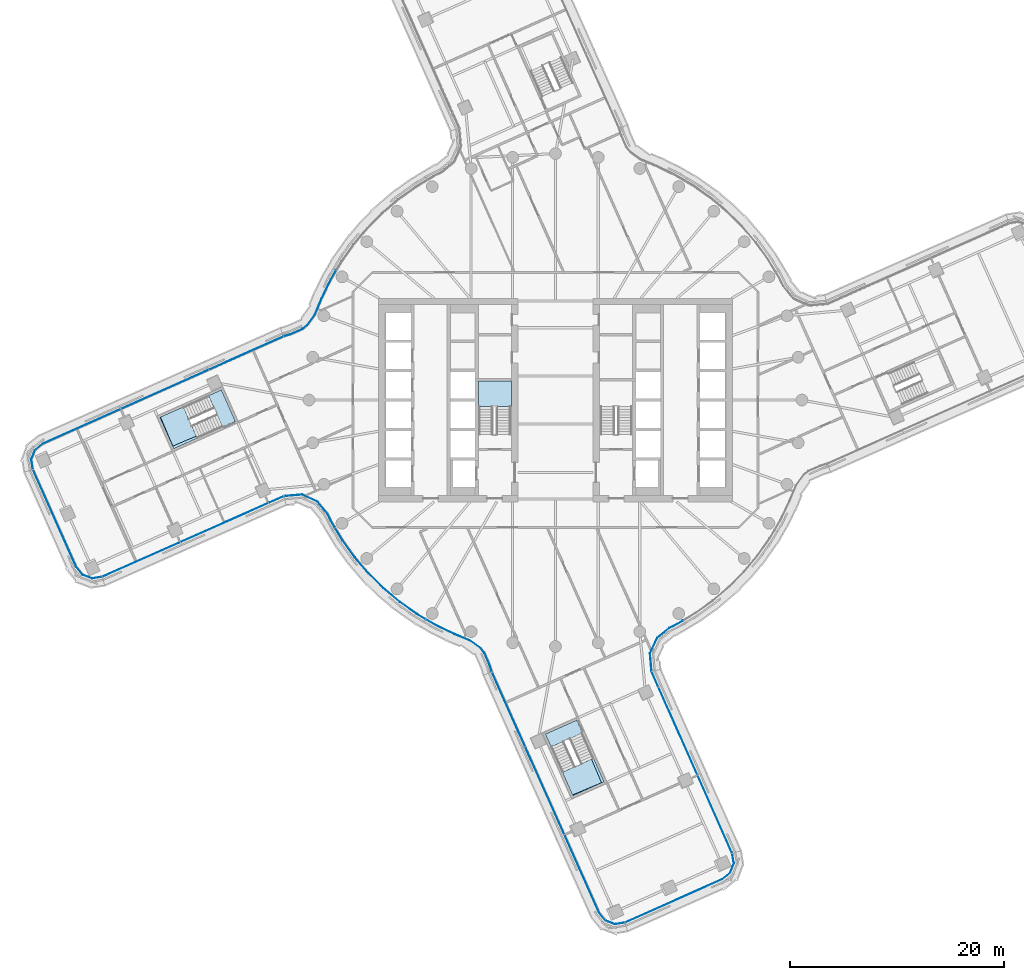
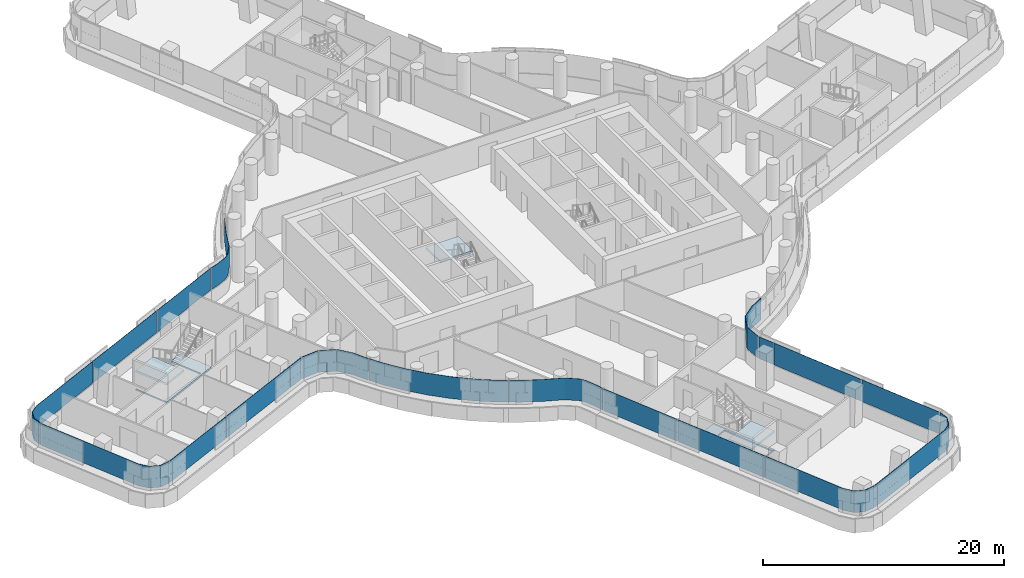
# One storey, part 18 of 35: 19 plates, 5 slabs, 12 elements without a shape of their own.
"""IFC4 building model written with IfcOpenShell, lengths in metres."""

from ifc_helpers import new_model, si_unit, direction, frame, origin, place, context, subcontext, project, spatial, polyline, outline, extrude, material, layer, layer_set, type_object, element, aggregate, save


model = new_model("IFC4")

# Units and contexts
model_context = context("Model", 3, precision=1e-05, world=origin(), true_north=direction((0.0, 1.0)))
body_context = subcontext(model_context, "Body", "Model", "MODEL_VIEW")
ifc_project = project(units=[si_unit("LENGTHUNIT", "METRE"), si_unit("AREAUNIT", "SQUARE_METRE"), si_unit("VOLUMEUNIT", "CUBIC_METRE"), si_unit("PLANEANGLEUNIT", "RADIAN"), si_unit("MASSUNIT", "GRAM", prefix="KILO")], contexts=[model_context])

# Site, building, storey
site_placement = place(None, origin())
site = spatial("IfcSite", under=ifc_project, at=site_placement, CompositionType="ELEMENT")
building_placement = place(site_placement, origin())
building = spatial("IfcBuilding", under=site, at=building_placement, Name="Tamarind Cross Interchange Tower", CompositionType="ELEMENT")
storey_placement = place(building_placement, frame((0.0, 0.0, 121.0)))
storey = spatial("IfcBuildingStorey", under=building, at=storey_placement, Name="L29", CompositionType="ELEMENT", Elevation=121.0)

# Slabs
ifc_material_1 = material(Name="Concrete C35", Category="concrete")
ifc_layer_1 = layer(ifc_material_1, 0.139892578125)
ifc_layer_set_1 = layer_set([ifc_layer_1], Name="Concrete C35")
slab_type_1 = type_object("IfcSlabType", Name="Composite slab 140 Concrete C35", PredefinedType="FLOOR", material=ifc_layer_set_1)
slab_1_placement = place(storey_placement, frame((0.0, 0.0, -0.139892578125)))
element("IfcSlab", 1, at=slab_1_placement, inside=storey, type_object=slab_type_1, Name="Floor slab L29", PredefinedType="FLOOR", context=body_context, shape_type="SweptSolid", body=[
    extrude(outline(polyline([(-29.876708984375, -1.97900390625), (-31.179931640625, 0.943603515625), (-32.302978515625, 0.44287109375), (-32.378173828125, 0.4091796875), (-31.144287109375, -2.358154296875), (-35.711181640625, -4.29541015625), (-36.859375, -1.5888671875), (-36.933837890625, -1.621826171875), (-35.630615234375, -4.544677734375), (-29.876708984375, -1.97900390625)])), origin(), (0.0, 0.0, 1.0), 0.139892578125),
])
slab_2_placement = place(storey_placement, frame((0.0, 0.0, -0.139892578125)))
element("IfcSlab", 2, at=slab_2_placement, inside=storey, type_object=slab_type_1, Name="Floor slab L29", PredefinedType="FLOOR", context=body_context, shape_type="SweptSolid", body=[
    extrude(outline(polyline([(1.97900390625, -29.876708984375), (-0.943603515625, -31.179931640625), (-0.44287109375, -32.302978515625), (-0.4091796875, -32.378173828125), (2.358154296875, -31.144287109375), (4.29541015625, -35.711181640625), (1.5888671875, -36.859375), (1.621826171875, -36.933837890625), (4.544677734375, -35.630615234375), (1.97900390625, -29.876708984375)])), origin(), (0.0, 0.0, 1.0), 0.139892578125),
])

# Stair, slab
ifc_material_2 = material(Name="Exit stair")
stair_type = type_object("IfcStairType", Name="Exit stair", PredefinedType="HALF_TURN_STAIR", material=ifc_material_2)
stair_1_placement = place(storey_placement, origin())
stair_1 = element("IfcStair", 3, at=stair_1_placement, inside=storey, type_object=stair_type, Name="L29 exit stair ST1", PredefinedType="HALF_TURN_STAIR")
ifc_material_3 = material(Name="Concrete C40", Category="concrete")
ifc_layer_2 = layer(ifc_material_3, 0.199951171875)
ifc_layer_set_2 = layer_set([ifc_layer_2], Name="Concrete C40")
slab_type_2 = type_object("IfcSlabType", Name="Stair landing", PredefinedType="LANDING", material=ifc_layer_set_2)
slab_3_placement = place(storey_placement, frame((0.0, 0.0, 1.675048828125)))
slab_3 = element("IfcSlab", 4, at=slab_3_placement, type_object=slab_type_2, Name="ST1 landing 1", PredefinedType="LANDING", context=body_context, shape_type="SweptSolid", body=[
    extrude(outline(polyline([(-4.10009765625, -0.60009765625), (-4.10009765625, 1.800048828125), (-7.199951171875, 1.800048828125), (-7.199951171875, -0.60009765625), (-4.10009765625, -0.60009765625)])), origin(), (0.0, 0.0, 1.0), 0.199951171875),
])
aggregate(stair_1, [slab_3])

stair_2_placement = place(storey_placement, origin())
stair_2 = element("IfcStair", 5, at=stair_2_placement, inside=storey, type_object=stair_type, Name="L29 exit stair ST5", PredefinedType="HALF_TURN_STAIR")
slab_4_placement = place(storey_placement, frame((0.0, 0.0, 1.675048828125)))
slab_4 = element("IfcSlab", 6, at=slab_4_placement, type_object=slab_type_2, Name="ST5 landing 1", PredefinedType="LANDING", context=body_context, shape_type="SweptSolid", body=[
    extrude(outline(polyline([(-34.73095703125, -0.6396484375), (-36.933837890625, -1.6220703125), (-35.630615234375, -4.544677734375), (-33.427734375, -3.5625), (-34.73095703125, -0.6396484375)])), origin(), (0.0, 0.0, 1.0), 0.199951171875),
])
aggregate(stair_2, [slab_4])

stair_3_placement = place(storey_placement, origin())
stair_3 = element("IfcStair", 7, at=stair_3_placement, inside=storey, type_object=stair_type, Name="L29 exit stair ST6", PredefinedType="HALF_TURN_STAIR")
slab_5_placement = place(storey_placement, frame((0.0, 0.0, 1.675048828125)))
slab_5 = element("IfcSlab", 8, at=slab_5_placement, type_object=slab_type_2, Name="ST6 landing 1", PredefinedType="LANDING", context=body_context, shape_type="SweptSolid", body=[
    extrude(outline(polyline([(0.6396484375, -34.73095703125), (1.6220703125, -36.933837890625), (4.544677734375, -35.630615234375), (3.5625, -33.427734375), (0.6396484375, -34.73095703125)])), origin(), (0.0, 0.0, 1.0), 0.199951171875),
])
aggregate(stair_3, [slab_5])

# Curtain wall, plate
ifc_material_4 = material(Name="Aluminium 6063-T6", Category="aluminium")
ifc_layer_3 = layer(ifc_material_4, 0.159912109375)
ifc_layer_set_3 = layer_set([ifc_layer_3], Name="Aluminium 6063-T6")
curtain_wall_type = type_object("IfcCurtainWallType", Name="Office curtain wall, 9.0 m bays", PredefinedType="NOTDEFINED", material=ifc_layer_set_3)
curtain_wall_1_placement = place(storey_placement, origin())
curtain_wall_1 = element("IfcCurtainWall", 9, at=curtain_wall_1_placement, inside=storey, type_object=curtain_wall_type, Name="CWS-L29-00", PredefinedType="NOTDEFINED")
ifc_material_5 = material(Name="Laminated low-e glass 8+1.52+8", Category="glass")
ifc_layer_4 = layer(ifc_material_5, 0.028076171875)
ifc_layer_set_4 = layer_set([ifc_layer_4], Name="Laminated low-e glass 8+1.52+8")
plate_type = type_object("IfcPlateType", Name="Vision panel CW1", PredefinedType="CURTAIN_PANEL", material=ifc_layer_set_4)
plate_1_placement = place(storey_placement, frame((0.0, 0.0, 1.39990234375)))
plate_1 = element("IfcPlate", 10, at=plate_1_placement, type_object=plate_type, Name="CWP-L29-00-00", PredefinedType="CURTAIN_PANEL", context=body_context, shape_type="SweptSolid", body=[
    extrude(outline(polyline([(-48.743896484375, -6.51123046875), (-44.7060546875, -15.5673828125), (-44.10791015625, -16.30517578125), (-43.248291015625, -16.634765625), (-42.337890625, -16.489990234375), (-42.33349609375, -16.517578125), (-43.251220703125, -16.66357421875), (-44.125, -16.32861328125), (-44.730224609375, -15.582275390625), (-48.76953125, -6.522705078125), (-48.743896484375, -6.51123046875)])), origin(), (0.0, 0.0, 1.0), 2.210205078125),
])
aggregate(curtain_wall_1, [plate_1])

# Curtain wall, plates
curtain_wall_2_placement = place(storey_placement, origin())
curtain_wall_2 = element("IfcCurtainWall", 11, at=curtain_wall_2_placement, inside=storey, type_object=curtain_wall_type, Name="CWS-L29-01", PredefinedType="NOTDEFINED")
plate_2_placement = place(storey_placement, frame((0.0, 0.0, 1.39990234375)))
plate_2 = element("IfcPlate", 12, at=plate_2_placement, type_object=plate_type, Name="CWP-L29-01-00", PredefinedType="CURTAIN_PANEL", context=body_context, shape_type="SweptSolid", body=[
    extrude(outline(polyline([(-42.284423828125, -16.47412109375), (-35.03173828125, -13.255615234375), (-35.0205078125, -13.28125), (-42.27294921875, -16.499755859375), (-42.284423828125, -16.47412109375)])), origin(), (0.0, 0.0, 1.0), 2.210205078125),
])
plate_3_placement = place(storey_placement, frame((0.0, 0.0, 1.39990234375)))
plate_3 = element("IfcPlate", 13, at=plate_3_placement, type_object=plate_type, Name="CWP-L29-01-01", PredefinedType="CURTAIN_PANEL", context=body_context, shape_type="SweptSolid", body=[
    extrude(outline(polyline([(-34.97705078125, -13.2314453125), (-26.80224609375, -9.603515625), (-26.790771484375, -9.629150390625), (-34.965576171875, -13.2568359375), (-34.97705078125, -13.2314453125)])), origin(), (0.0, 0.0, 1.0), 2.210205078125),
])
plate_4_placement = place(storey_placement, frame((0.0, 0.0, 1.39990234375)))
plate_4 = element("IfcPlate", 14, at=plate_4_placement, type_object=plate_type, Name="CWP-L29-01-02", PredefinedType="CURTAIN_PANEL", context=body_context, shape_type="SweptSolid", body=[
    extrude(outline(polyline([(-26.747314453125, -9.579345703125), (-25.3779296875, -8.971435546875), (-25.366455078125, -8.9970703125), (-26.736083984375, -9.60498046875), (-26.747314453125, -9.579345703125)])), origin(), (0.0, 0.0, 1.0), 2.210205078125),
])
aggregate(curtain_wall_2, [plate_2, plate_3, plate_4])

curtain_wall_3_placement = place(storey_placement, origin())
curtain_wall_3 = element("IfcCurtainWall", 15, at=curtain_wall_3_placement, inside=storey, type_object=curtain_wall_type, Name="CWS-L29-02", PredefinedType="NOTDEFINED")
plate_5_placement = place(storey_placement, frame((0.0, 0.0, 1.39990234375)))
plate_5 = element("IfcPlate", 16, at=plate_5_placement, type_object=plate_type, Name="CWP-L29-02-00", PredefinedType="CURTAIN_PANEL", context=body_context, shape_type="SweptSolid", body=[
    extrude(outline(polyline([(-25.31591796875, -8.95556640625), (-23.64208984375, -8.81201171875), (-22.1923828125, -9.48193359375), (-21.266845703125, -10.609619140625), (-20.866943359375, -11.408203125), (-20.574462890625, -11.894287109375), (-20.598388671875, -11.90869140625), (-20.891357421875, -11.421875), (-21.29052734375, -10.625), (-22.2099609375, -9.504638671875), (-23.64697265625, -8.840576171875), (-25.313720703125, -8.983642578125), (-25.31591796875, -8.95556640625)])), origin(), (0.0, 0.0, 1.0), 2.210205078125),
])
plate_6_placement = place(storey_placement, frame((0.0, 0.0, 1.39990234375)))
plate_6 = element("IfcPlate", 17, at=plate_6_placement, type_object=plate_type, Name="CWP-L29-02-01", PredefinedType="CURTAIN_PANEL", context=body_context, shape_type="SweptSolid", body=[
    extrude(outline(polyline([(-20.54345703125, -11.94580078125), (-19.85302734375, -13.093017578125), (-18.7041015625, -14.687744140625), (-17.42724609375, -16.18212890625), (-16.031494140625, -17.56591796875), (-14.526123046875, -18.829833984375), (-12.921630859375, -19.965087890625), (-12.135498046875, -20.428955078125), (-12.14990234375, -20.453125), (-12.936767578125, -19.988525390625), (-14.543212890625, -18.85205078125), (-16.05029296875, -17.586669921875), (-17.44775390625, -16.201171875), (-18.72607421875, -14.705078125), (-19.87646484375, -13.1083984375), (-20.5673828125, -11.960205078125), (-20.54345703125, -11.94580078125)])), origin(), (0.0, 0.0, 1.0), 2.210205078125),
])
plate_7_placement = place(storey_placement, frame((0.0, 0.0, 1.39990234375)))
plate_7 = element("IfcPlate", 18, at=plate_7_placement, type_object=plate_type, Name="CWP-L29-02-02", PredefinedType="CURTAIN_PANEL", context=body_context, shape_type="SweptSolid", body=[
    extrude(outline(polyline([(-12.083984375, -20.45947265625), (-11.228759765625, -20.9638671875), (-9.456787109375, -21.82080078125), (-7.9462890625, -22.446533203125), (-6.9736328125, -23.1591796875), (-6.62109375, -23.596923828125), (-6.136962890625, -24.68701171875), (-5.93310546875, -25.3486328125), (-5.9599609375, -25.356689453125), (-6.163330078125, -24.69677734375), (-6.645263671875, -23.611572265625), (-6.9931640625, -23.1796875), (-7.960205078125, -22.47119140625), (-9.46826171875, -21.846435546875), (-11.241943359375, -20.98876953125), (-12.09814453125, -20.4833984375), (-12.083984375, -20.45947265625)])), origin(), (0.0, 0.0, 1.0), 2.210205078125),
])
aggregate(curtain_wall_3, [plate_5, plate_6, plate_7])

curtain_wall_4_placement = place(storey_placement, origin())
curtain_wall_4 = element("IfcCurtainWall", 19, at=curtain_wall_4_placement, inside=storey, type_object=curtain_wall_type, Name="CWS-L29-03", PredefinedType="NOTDEFINED")
plate_8_placement = place(storey_placement, frame((0.0, 0.0, 1.39990234375)))
plate_8 = element("IfcPlate", 20, at=plate_8_placement, type_object=plate_type, Name="CWP-L29-03-00", PredefinedType="CURTAIN_PANEL", context=body_context, shape_type="SweptSolid", body=[
    extrude(outline(polyline([(-5.91259765625, -25.403076171875), (-2.830078125, -32.316650390625), (-2.855712890625, -32.328125), (-5.938232421875, -25.414306640625), (-5.91259765625, -25.403076171875)])), origin(), (0.0, 0.0, 1.0), 2.210205078125),
])
plate_9_placement = place(storey_placement, frame((0.0, 0.0, 1.39990234375)))
plate_9 = element("IfcPlate", 21, at=plate_9_placement, type_object=plate_type, Name="CWP-L29-03-01", PredefinedType="CURTAIN_PANEL", context=body_context, shape_type="SweptSolid", body=[
    extrude(outline(polyline([(-2.8056640625, -32.37158203125), (0.8291015625, -40.52392578125), (0.8037109375, -40.535400390625), (-2.831298828125, -32.383056640625), (-2.8056640625, -32.37158203125)])), origin(), (0.0, 0.0, 1.0), 2.210205078125),
])
plate_10_placement = place(storey_placement, frame((0.0, 0.0, 1.39990234375)))
plate_10 = element("IfcPlate", 22, at=plate_10_placement, type_object=plate_type, Name="CWP-L29-03-02", PredefinedType="CURTAIN_PANEL", context=body_context, shape_type="SweptSolid", body=[
    extrude(outline(polyline([(0.853515625, -40.57861328125), (4.08984375, -47.837158203125), (4.68798828125, -48.574951171875), (5.547607421875, -48.904296875), (6.457763671875, -48.759765625), (6.462158203125, -48.787353515625), (5.544677734375, -48.93310546875), (4.6708984375, -48.598388671875), (4.06591796875, -47.851806640625), (0.828125, -40.590087890625), (0.853515625, -40.57861328125)])), origin(), (0.0, 0.0, 1.0), 2.210205078125),
])
aggregate(curtain_wall_4, [plate_8, plate_9, plate_10])

# Curtain wall, plate
curtain_wall_5_placement = place(storey_placement, origin())
curtain_wall_5 = element("IfcCurtainWall", 23, at=curtain_wall_5_placement, inside=storey, type_object=curtain_wall_type, Name="CWS-L29-04", PredefinedType="NOTDEFINED")
plate_11_placement = place(storey_placement, frame((0.0, 0.0, 1.39990234375)))
plate_11 = element("IfcPlate", 24, at=plate_11_placement, type_object=plate_type, Name="CWP-L29-04-00", PredefinedType="CURTAIN_PANEL", context=body_context, shape_type="SweptSolid", body=[
    extrude(outline(polyline([(6.51123046875, -48.743896484375), (15.5673828125, -44.7060546875), (16.30517578125, -44.10791015625), (16.634765625, -43.248291015625), (16.489990234375, -42.337890625), (16.517578125, -42.33349609375), (16.66357421875, -43.251220703125), (16.32861328125, -44.125), (15.582275390625, -44.730224609375), (6.522705078125, -48.76953125), (6.51123046875, -48.743896484375)])), origin(), (0.0, 0.0, 1.0), 2.210205078125),
])
aggregate(curtain_wall_5, [plate_11])

# Curtain wall, plates
curtain_wall_6_placement = place(storey_placement, origin())
curtain_wall_6 = element("IfcCurtainWall", 25, at=curtain_wall_6_placement, inside=storey, type_object=curtain_wall_type, Name="CWS-L29-05", PredefinedType="NOTDEFINED")
plate_12_placement = place(storey_placement, frame((0.0, 0.0, 1.39990234375)))
plate_12 = element("IfcPlate", 26, at=plate_12_placement, type_object=plate_type, Name="CWP-L29-05-00", PredefinedType="CURTAIN_PANEL", context=body_context, shape_type="SweptSolid", body=[
    extrude(outline(polyline([(16.47412109375, -42.284423828125), (13.255615234375, -35.03173828125), (13.28125, -35.0205078125), (16.499755859375, -42.27294921875), (16.47412109375, -42.284423828125)])), origin(), (0.0, 0.0, 1.0), 2.210205078125),
])
plate_13_placement = place(storey_placement, frame((0.0, 0.0, 1.39990234375)))
plate_13 = element("IfcPlate", 27, at=plate_13_placement, type_object=plate_type, Name="CWP-L29-05-01", PredefinedType="CURTAIN_PANEL", context=body_context, shape_type="SweptSolid", body=[
    extrude(outline(polyline([(13.2314453125, -34.97705078125), (9.603515625, -26.80224609375), (9.629150390625, -26.790771484375), (13.2568359375, -34.965576171875), (13.2314453125, -34.97705078125)])), origin(), (0.0, 0.0, 1.0), 2.210205078125),
])
plate_14_placement = place(storey_placement, frame((0.0, 0.0, 1.39990234375)))
plate_14 = element("IfcPlate", 28, at=plate_14_placement, type_object=plate_type, Name="CWP-L29-05-02", PredefinedType="CURTAIN_PANEL", context=body_context, shape_type="SweptSolid", body=[
    extrude(outline(polyline([(9.579345703125, -26.747314453125), (8.971435546875, -25.3779296875), (8.9970703125, -25.366455078125), (9.60498046875, -26.736083984375), (9.579345703125, -26.747314453125)])), origin(), (0.0, 0.0, 1.0), 2.210205078125),
])
aggregate(curtain_wall_6, [plate_12, plate_13, plate_14])

# Curtain wall, plate
curtain_wall_7_placement = place(storey_placement, origin())
curtain_wall_7 = element("IfcCurtainWall", 29, at=curtain_wall_7_placement, inside=storey, type_object=curtain_wall_type, Name="CWS-L29-06", PredefinedType="NOTDEFINED")
plate_15_placement = place(storey_placement, frame((0.0, 0.0, 1.39990234375)))
plate_15 = element("IfcPlate", 30, at=plate_15_placement, type_object=plate_type, Name="CWP-L29-06-00", PredefinedType="CURTAIN_PANEL", context=body_context, shape_type="SweptSolid", body=[
    extrude(outline(polyline([(8.95556640625, -25.31591796875), (8.81201171875, -23.64208984375), (9.48193359375, -22.1923828125), (10.609619140625, -21.266845703125), (11.408203125, -20.866943359375), (11.894287109375, -20.574462890625), (11.90869140625, -20.598388671875), (11.421875, -20.891357421875), (10.625, -21.29052734375), (9.504638671875, -22.2099609375), (8.840576171875, -23.64697265625), (8.983642578125, -25.313720703125), (8.95556640625, -25.31591796875)])), origin(), (0.0, 0.0, 1.0), 2.210205078125),
])
aggregate(curtain_wall_7, [plate_15])

curtain_wall_8_placement = place(storey_placement, origin())
curtain_wall_8 = element("IfcCurtainWall", 31, at=curtain_wall_8_placement, inside=storey, type_object=curtain_wall_type, Name="CWS-L29-14", PredefinedType="NOTDEFINED")
plate_16_placement = place(storey_placement, frame((0.0, 0.0, 1.39990234375)))
plate_16 = element("IfcPlate", 32, at=plate_16_placement, type_object=plate_type, Name="CWP-L29-14-02", PredefinedType="CURTAIN_PANEL", context=body_context, shape_type="SweptSolid", body=[
    extrude(outline(polyline([(-20.45947265625, 12.083984375), (-20.9638671875, 11.228759765625), (-21.82080078125, 9.456787109375), (-22.446533203125, 7.9462890625), (-23.1591796875, 6.9736328125), (-23.596923828125, 6.62109375), (-24.68701171875, 6.136962890625), (-25.3486328125, 5.93310546875), (-25.356689453125, 5.9599609375), (-24.69677734375, 6.163330078125), (-23.611572265625, 6.645263671875), (-23.1796875, 6.9931640625), (-22.47119140625, 7.960205078125), (-21.846435546875, 9.46826171875), (-20.98876953125, 11.241943359375), (-20.4833984375, 12.09814453125), (-20.45947265625, 12.083984375)])), origin(), (0.0, 0.0, 1.0), 2.210205078125),
])
aggregate(curtain_wall_8, [plate_16])

# Curtain wall, plates
curtain_wall_9_placement = place(storey_placement, origin())
curtain_wall_9 = element("IfcCurtainWall", 33, at=curtain_wall_9_placement, inside=storey, type_object=curtain_wall_type, Name="CWS-L29-15", PredefinedType="NOTDEFINED")
plate_17_placement = place(storey_placement, frame((0.0, 0.0, 1.39990234375)))
plate_17 = element("IfcPlate", 34, at=plate_17_placement, type_object=plate_type, Name="CWP-L29-15-00", PredefinedType="CURTAIN_PANEL", context=body_context, shape_type="SweptSolid", body=[
    extrude(outline(polyline([(-25.403076171875, 5.91259765625), (-32.316650390625, 2.830078125), (-32.328125, 2.855712890625), (-25.414306640625, 5.938232421875), (-25.403076171875, 5.91259765625)])), origin(), (0.0, 0.0, 1.0), 2.210205078125),
])
plate_18_placement = place(storey_placement, frame((0.0, 0.0, 1.39990234375)))
plate_18 = element("IfcPlate", 35, at=plate_18_placement, type_object=plate_type, Name="CWP-L29-15-01", PredefinedType="CURTAIN_PANEL", context=body_context, shape_type="SweptSolid", body=[
    extrude(outline(polyline([(-32.37158203125, 2.8056640625), (-40.52392578125, -0.8291015625), (-40.535400390625, -0.8037109375), (-32.383056640625, 2.831298828125), (-32.37158203125, 2.8056640625)])), origin(), (0.0, 0.0, 1.0), 2.210205078125),
])
plate_19_placement = place(storey_placement, frame((0.0, 0.0, 1.39990234375)))
plate_19 = element("IfcPlate", 36, at=plate_19_placement, type_object=plate_type, Name="CWP-L29-15-02", PredefinedType="CURTAIN_PANEL", context=body_context, shape_type="SweptSolid", body=[
    extrude(outline(polyline([(-40.57861328125, -0.853515625), (-47.837158203125, -4.08984375), (-48.574951171875, -4.68798828125), (-48.904296875, -5.547607421875), (-48.759765625, -6.457763671875), (-48.787353515625, -6.462158203125), (-48.93310546875, -5.544677734375), (-48.598388671875, -4.6708984375), (-47.851806640625, -4.06591796875), (-40.590087890625, -0.828125), (-40.57861328125, -0.853515625)])), origin(), (0.0, 0.0, 1.0), 2.210205078125),
])
aggregate(curtain_wall_9, [plate_17, plate_18, plate_19])

save(model, "model.ifc")
